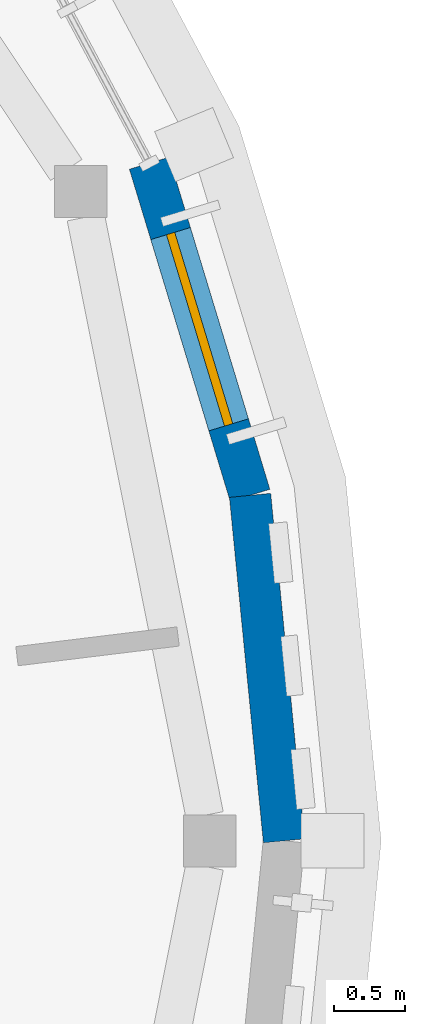
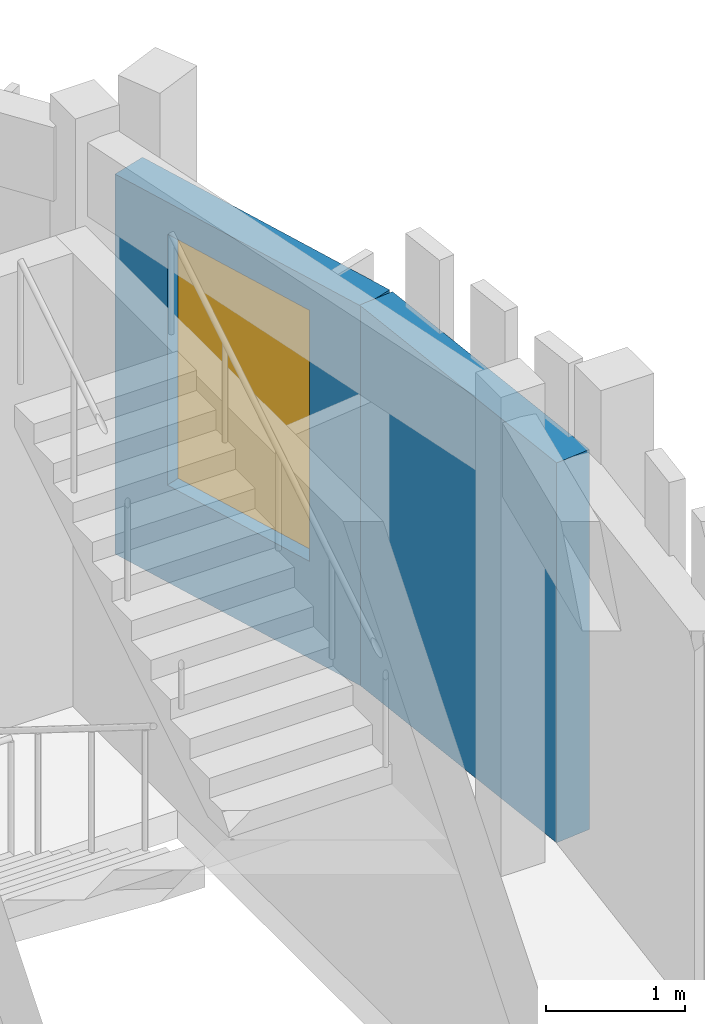
# One storey, part 43 of 58: 2 walls, 1 window, 1 opening.
"""IFC4 building model written with IfcOpenShell, lengths in metres."""

from ifc_helpers import new_model, si_unit, direction, frame, frame_2d, origin, place, context, subcontext, project, spatial, rectangle, extrude, material, layer, layer_set, type_object, element, fill, save


model = new_model("IFC4")

# Units and contexts
model_context = context("Model", 3, precision=1e-05, world=origin(), true_north=direction((0.0, 1.0)))
body_context = subcontext(model_context, "Body", "Model", "MODEL_VIEW")
ifc_project = project(units=[si_unit("LENGTHUNIT", "METRE"), si_unit("AREAUNIT", "SQUARE_METRE"), si_unit("VOLUMEUNIT", "CUBIC_METRE"), si_unit("PLANEANGLEUNIT", "RADIAN"), si_unit("MASSUNIT", "GRAM", prefix="KILO")], contexts=[model_context])

# Site, building, storey
site_placement = place(None, origin())
site = spatial("IfcSite", under=ifc_project, at=site_placement, CompositionType="ELEMENT")
building_placement = place(site_placement, origin())
building = spatial("IfcBuilding", under=site, at=building_placement, Name="Aldenvaro Health Centre", CompositionType="ELEMENT")
storey_placement = place(building_placement, frame((0.0, 0.0, 8.75)))
storey = spatial("IfcBuildingStorey", under=building, at=storey_placement, Name="L02", CompositionType="ELEMENT", Elevation=8.75)

# Wall, opening, window
ifc_material_1 = material(Name="Cross-laminated timber CLT E1", Category="wood")
ifc_layer = layer(ifc_material_1, 0.2900390625, Name="Cross-laminated timber CLT E1", Category="wood")
ifc_layer_set = layer_set([ifc_layer], Name="Cross-laminated timber CLT E1")
wall_type = type_object("IfcWallType", Name="WL-EXT-290", PredefinedType="ELEMENTEDWALL", material=ifc_layer_set)
wall_1_placement = place(storey_placement, frame((165.9560546875, 104.2451171875, 0.0), z_axis=(0.0, 0.0, 1.0), x_axis=(0.290442193951, -0.956892539407, 0.0)))
wall_1 = element("IfcWall", 1, at=wall_1_placement, inside=storey, type_object=wall_type, Name="D2 L02 exterior wall 31", PredefinedType="ELEMENTEDWALL", context=body_context, shape_type="SweptSolid", body=[
    extrude(rectangle(XDim=2.430908203125, YDim=0.2900390625, at=frame_2d((1.21533203125, 0.0))), origin(), (0.0, 0.0, 1.0), 3.3291015625),
])
opening_placement = place(wall_1_placement, frame((0.514892578125, 0.0, 0.85009765625)))
opening = element("IfcOpeningElement", 2, at=opening_placement, cuts=wall_1, Name="Opening W-58", PredefinedType="OPENING", context=body_context, shape_type="SweptSolid", body=[
    extrude(rectangle(XDim=1.39990234375, YDim=2.199951171875, at=frame_2d((0.699951171875, 1.10009765625))), frame((0.0, 0.155029296875, 0.0), z_axis=(0.0, -1.0, 0.0), x_axis=(1.0, 0.0, 0.0)), (0.0, 0.0, 1.0), 0.31005859375),
])
ifc_material_2 = material(Name="Thermally Broken Aluminium Low-E Glass", Category="aluminium")
window_type = type_object("IfcWindowType", Name="WN-EXT-58", PartitioningType="SINGLE_PANEL", PredefinedType="WINDOW", material=ifc_material_2)
window_placement = place(opening_placement, origin())
window = element("IfcWindow", 3, at=window_placement, inside=storey, type_object=window_type, Name="D2 L02 clinical window 31", OverallHeight=2.199951171875, OverallWidth=1.39990234375, PartitioningType="SINGLE_PANEL", PredefinedType="WINDOW", context=body_context, shape_type="SweptSolid", body=[
    extrude(rectangle(XDim=1.39990234375, YDim=2.199951171875, at=frame_2d((0.699951171875, 1.10009765625))), frame((0.0, 0.030029296875, 0.0), z_axis=(0.0, -1.0, 0.0), x_axis=(1.0, 0.0, 0.0)), (0.0, 0.0, 1.0), 0.06005859375),
])
fill(opening, window)

# Wall
wall_2_placement = place(storey_placement, frame((166.662109375, 101.9189453125, 0.0), z_axis=(0.0, 0.0, 1.0), x_axis=(0.097832820839, -0.995202863323, 0.0)))
element("IfcWall", 4, at=wall_2_placement, inside=storey, type_object=wall_type, Name="D2 L02 exterior wall 32", PredefinedType="ELEMENTEDWALL", context=body_context, shape_type="SweptSolid", body=[
    extrude(rectangle(XDim=2.4306640625, YDim=0.2900390625, at=frame_2d((1.21533203125, 0.0))), origin(), (0.0, 0.0, 1.0), 3.3291015625),
])

save(model, "model.ifc")
